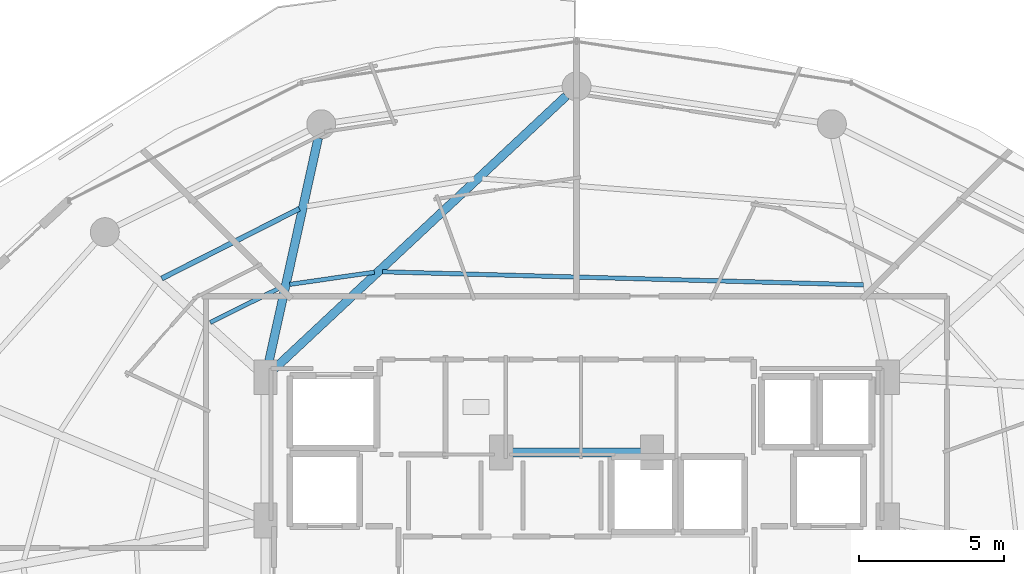
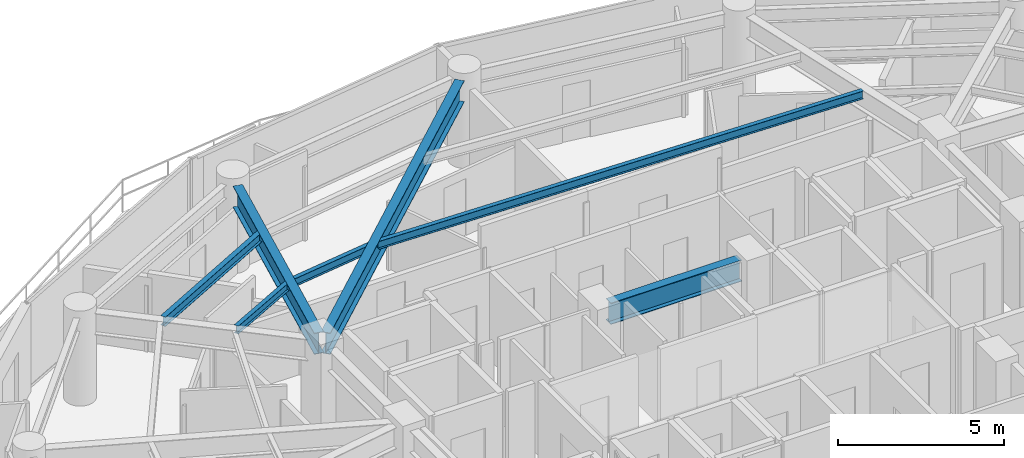
# One storey, part 10 of 31: 7 beams.
"""IFC4 building model written with IfcOpenShell, lengths in metres."""

from ifc_helpers import new_model, si_unit, direction, frame, origin, origin_2d, place, context, subcontext, project, spatial, i_section, extrude, material, material_profile, profile_set, type_object, element, save


model = new_model("IFC4")

# Units and contexts
model_context = context("Model", 3, precision=1e-05, world=origin(), true_north=direction((0.0, 1.0)))
body_context = subcontext(model_context, "Body", "Model", "MODEL_VIEW")
ifc_project = project(units=[si_unit("LENGTHUNIT", "METRE"), si_unit("AREAUNIT", "SQUARE_METRE"), si_unit("VOLUMEUNIT", "CUBIC_METRE"), si_unit("PLANEANGLEUNIT", "RADIAN"), si_unit("MASSUNIT", "GRAM", prefix="KILO")], contexts=[model_context])

# Site, building, storey
site_placement = place(None, origin())
site = spatial("IfcSite", under=ifc_project, at=site_placement, CompositionType="ELEMENT")
building_placement = place(site_placement, origin())
building = spatial("IfcBuilding", under=site, at=building_placement, Name="Vorneva Point Tower", CompositionType="ELEMENT")
storey_placement = place(building_placement, frame((0.0, 0.0, 129.10009765625)))
storey = spatial("IfcBuildingStorey", under=building, at=storey_placement, Name="L34", CompositionType="ELEMENT", Elevation=129.10009765625)

# Beams
ifc_material = material(Name="Steel S355", Category="steel")
ifc_material_profile_1 = material_profile(ifc_material, i_section(OverallWidth=0.300048828125, OverallDepth=0.7880859375, WebThickness=0.014404296875, FlangeThickness=0.02197265625, at=origin_2d()), Name="80Sh1")
ifc_profile_set_1 = profile_set([ifc_material_profile_1], Name="Steel S355")
beam_type_1 = type_object("IfcBeamType", Name="BM-GRD-80Sh1", PredefinedType="USERDEFINED", material=ifc_profile_set_1)
beam_1_placement = place(storey_placement, frame((37.6435546875, 42.86669921875, 2.845947265625), z_axis=(-0.730490907119, -0.682922422107, 0.0), x_axis=(0.682922422107, -0.730490907119, 0.0)))
element("IfcBeam", 1, at=beam_1_placement, inside=storey, type_object=beam_type_1, Name="L34 Radial Primary Girder 05", ObjectType="GIRDER", PredefinedType="USERDEFINED", context=body_context, shape_type="SweptSolid", body=[
    extrude(i_section(OverallWidth=0.300048828125, OverallDepth=0.7880859375, WebThickness=0.014404296875, FlangeThickness=0.02197265625, at=origin_2d()), origin(), (0.0, 0.0, 1.0), 13.88818359375),
])
beam_2_placement = place(storey_placement, frame((29.073974609375, 41.414306640625, 2.845947265625), z_axis=(-0.215520500859, -0.976499315775, 0.0), x_axis=(0.976499315775, -0.215520500859, 0.0)))
element("IfcBeam", 2, at=beam_2_placement, inside=storey, type_object=beam_type_1, Name="L34 Radial Primary Girder 06", ObjectType="GIRDER", PredefinedType="USERDEFINED", context=body_context, shape_type="SweptSolid", body=[
    extrude(i_section(OverallWidth=0.300048828125, OverallDepth=0.7880859375, WebThickness=0.014404296875, FlangeThickness=0.02197265625, at=origin_2d()), origin(), (0.0, 0.0, 1.0), 8.123291015625),
])
beam_3_placement = place(storey_placement, frame((35.719970703125, 30.550048828125, 2.845947265625), z_axis=(1.0, 0.0, 0.0), x_axis=(0.0, 1.0, 0.0)))
element("IfcBeam", 3, at=beam_3_placement, inside=storey, type_object=beam_type_1, Name="L34 Core Tie Girder CT8", ObjectType="GIRDER", PredefinedType="USERDEFINED", context=body_context, shape_type="SweptSolid", body=[
    extrude(i_section(OverallWidth=0.300048828125, OverallDepth=0.7880859375, WebThickness=0.014404296875, FlangeThickness=0.02197265625, at=origin_2d()), origin(), (0.0, 0.0, 1.0), 4.56005859375),
])
ifc_material_profile_2 = material_profile(ifc_material, i_section(OverallWidth=0.14892578125, OverallDepth=0.298095703125, WebThickness=0.005615234375, FlangeThickness=0.008056640625, at=origin_2d()), Name="30B1")
ifc_profile_set_2 = profile_set([ifc_material_profile_2], Name="Steel S355")
beam_type_2 = type_object("IfcBeamType", Name="BM-JST-30B1", PredefinedType="JOIST", material=ifc_profile_set_2)
beam_4_placement = place(storey_placement, frame((47.908447265625, 36.34130859375, 3.0908203125), z_axis=(-0.999630939396, 0.027165879367, 0.0), x_axis=(-0.027165879367, -0.999630939396, 0.0)))
element("IfcBeam", 4, at=beam_4_placement, inside=storey, type_object=beam_type_2, Name="L34 Secondary Floor Beam 2.04", PredefinedType="JOIST", context=body_context, shape_type="SweptSolid", body=[
    extrude(i_section(OverallWidth=0.14892578125, OverallDepth=0.298095703125, WebThickness=0.005615234375, FlangeThickness=0.008056640625, at=origin_2d()), origin(), (0.0, 0.0, 1.0), 16.6259765625),
])
beam_5_placement = place(storey_placement, frame((31.013916015625, 36.777099609375, 3.0908203125), z_axis=(-0.989843421771, -0.142161880882, 0.0), x_axis=(0.142161880882, -0.989843421771, 0.0)))
element("IfcBeam", 5, at=beam_5_placement, inside=storey, type_object=beam_type_2, Name="L34 Secondary Floor Beam 2.05", PredefinedType="JOIST", context=body_context, shape_type="SweptSolid", body=[
    extrude(i_section(OverallWidth=0.14892578125, OverallDepth=0.298095703125, WebThickness=0.005615234375, FlangeThickness=0.008056640625, at=origin_2d()), origin(), (0.0, 0.0, 1.0), 2.953857421875),
])
beam_6_placement = place(storey_placement, frame((27.829833984375, 36.2763671875, 3.0908203125), z_axis=(-0.895831018968, -0.444394853092, 0.0), x_axis=(0.444394853092, -0.895831018968, 0.0)))
element("IfcBeam", 6, at=beam_6_placement, inside=storey, type_object=beam_type_2, Name="L34 Secondary Floor Beam 2.06", PredefinedType="JOIST", context=body_context, shape_type="SweptSolid", body=[
    extrude(i_section(OverallWidth=0.14892578125, OverallDepth=0.298095703125, WebThickness=0.005615234375, FlangeThickness=0.008056640625, at=origin_2d()), origin(), (0.0, 0.0, 1.0), 2.77392578125),
])
ifc_material_profile_3 = material_profile(ifc_material, i_section(OverallWidth=0.174072265625, OverallDepth=0.345947265625, WebThickness=0.006103515625, FlangeThickness=0.009033203125, at=origin_2d()), Name="35B1")
ifc_profile_set_3 = profile_set([ifc_material_profile_3], Name="Steel S355")
beam_type_3 = type_object("IfcBeamType", Name="BM-SEC-35B1", PredefinedType="BEAM", material=ifc_profile_set_3)
beam_7_placement = place(storey_placement, frame((28.425537109375, 38.97216796875, 3.06689453125), z_axis=(-0.891979436535, -0.452075972375, 0.0), x_axis=(0.452075972375, -0.891979436535, 0.0)))
element("IfcBeam", 7, at=beam_7_placement, inside=storey, type_object=beam_type_3, Name="L34 Secondary Floor Beam 1.06", PredefinedType="BEAM", context=body_context, shape_type="SweptSolid", body=[
    extrude(i_section(OverallWidth=0.174072265625, OverallDepth=0.345947265625, WebThickness=0.006103515625, FlangeThickness=0.009033203125, at=origin_2d()), origin(), (0.0, 0.0, 1.0), 5.335205078125),
])

save(model, "model.ifc")
